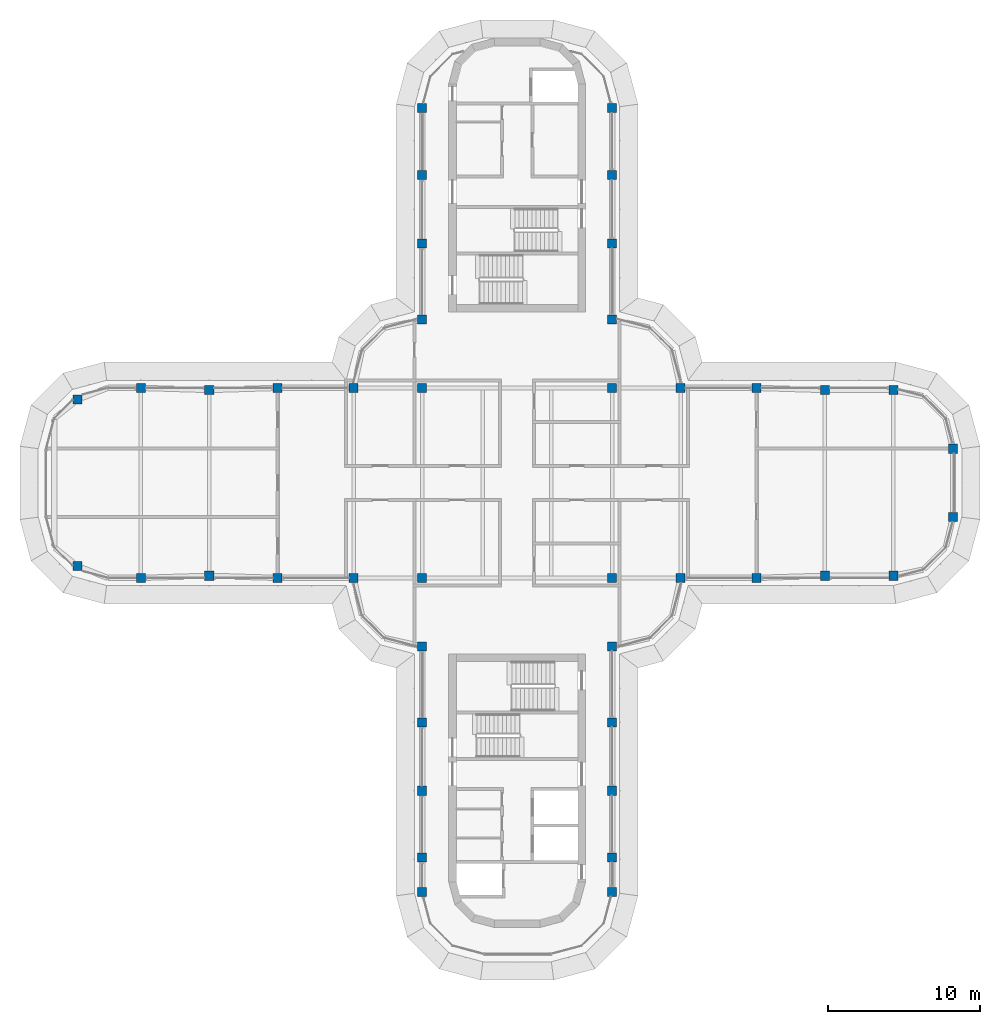
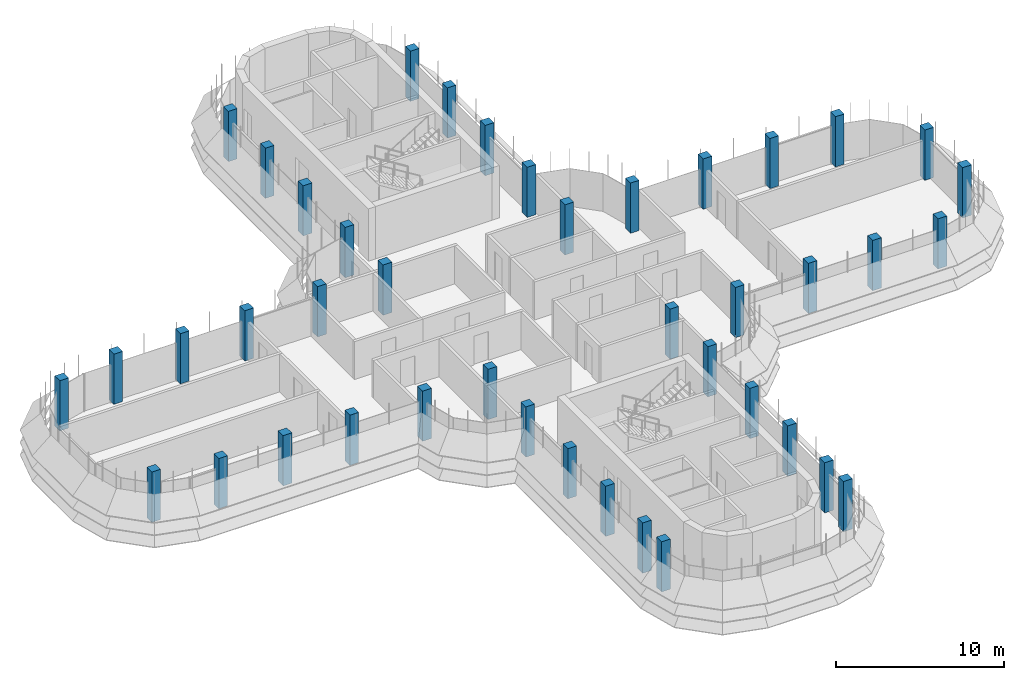
# One storey, part 1 of 19: 42 columns.
"""IFC4 building model written with IfcOpenShell, lengths in metres."""

from ifc_helpers import new_model, si_unit, direction, frame, origin, origin_2d, place, context, subcontext, project, spatial, rectangle, extrude, material, material_profile, profile_set, type_object, element, save


model = new_model("IFC4")

# Units and contexts
model_context = context("Model", 3, precision=1e-05, world=origin(), true_north=direction((0.0, 1.0)))
body_context = subcontext(model_context, "Body", "Model", "MODEL_VIEW")
ifc_project = project(units=[si_unit("LENGTHUNIT", "METRE"), si_unit("AREAUNIT", "SQUARE_METRE"), si_unit("VOLUMEUNIT", "CUBIC_METRE"), si_unit("PLANEANGLEUNIT", "RADIAN"), si_unit("MASSUNIT", "GRAM", prefix="KILO")], contexts=[model_context])

# Site, building, storey
site_placement = place(None, origin())
site = spatial("IfcSite", under=ifc_project, at=site_placement, CompositionType="ELEMENT")
building_placement = place(site_placement, origin())
building = spatial("IfcBuilding", under=site, at=building_placement, Name="Zarbagh Exchange Tower", CompositionType="ELEMENT")
storey_placement = place(building_placement, frame((0.0, 0.0, 268.800048828125)))
storey = spatial("IfcBuildingStorey", under=building, at=storey_placement, Name="L66", CompositionType="ELEMENT", Elevation=268.800048828125)

# Columns
ifc_material = material(Name="Concrete C40/50", Category="concrete")
ifc_material_profile = material_profile(ifc_material, rectangle(XDim=0.60009765625, YDim=0.60009765625, at=origin_2d()), Name="RC column 600 x 600 C40/50")
ifc_profile_set = profile_set([ifc_material_profile], Name="Concrete C40/50")
column_type = type_object("IfcColumnType", Name="RC column 600 x 600 C40/50", PredefinedType="COLUMN", material=ifc_profile_set)
for number, where, z_axis, x_axis, name in (
    (1, (-28.907958984375, -5.47509765625, 0.0), (0.0, 0.0, 1.0), (1.0, 0.0, 0.0), "C6 11/R"),
    (2, (-28.907958984375, 5.47509765625, 0.0), (0.0, 0.0, 1.0), (1.0, 0.0, 0.0), "C6 11/U"),
    (3, (-24.75, -6.25, 0.0), (0.0, 0.0, 1.0), (1.0, 0.0, 0.0), "C6 12/R"),
    (4, (-24.75, 6.25, 0.0), (0.0, 0.0, 1.0), (1.0, 0.0, 0.0), "C6 12/U"),
    (5, (-20.25, -6.110107421875, 0.0), (0.0, 0.0, 1.0), (1.0, 0.0, 0.0), "C6 13/R"),
    (6, (-20.25, 6.110107421875, 0.0), (0.0, 0.0, 1.0), (1.0, 0.0, 0.0), "C6 13/U"),
    (7, (-15.75, -6.25, 0.0), (0.0, 0.0, 1.0), (1.0, 0.0, 0.0), "C6 14/R"),
    (8, (-15.75, 6.25, 0.0), (0.0, 0.0, 1.0), (1.0, 0.0, 0.0), "C6 14/U"),
    (9, (-10.75, -6.25, 0.0), (0.0, 0.0, 1.0), (1.0, 0.0, 0.0), "C6 15/R"),
    (10, (-10.75, 6.25, 0.0), (0.0, 0.0, 1.0), (1.0, 0.0, 0.0), "C6 15/U"),
    (11, (-6.25, -26.89990234375, 0.0), (0.0, 0.0, 1.0), (1.0, 0.0, 0.0), "C6 16/L"),
    (12, (-6.25, -24.64990234375, 0.0), (0.0, 0.0, 1.0), (1.0, 0.0, 0.0), "C6 16/M"),
    (13, (-6.25, -20.25, 0.0), (0.0, 0.0, 1.0), (1.0, 0.0, 0.0), "C6 16/N"),
    (14, (-6.25, -15.75, 0.0), (0.0, 0.0, 1.0), (1.0, 0.0, 0.0), "C6 16/P"),
    (15, (-6.25, -10.75, 0.0), (0.0, 0.0, 1.0), (1.0, 0.0, 0.0), "C6 16/Q"),
    (16, (-6.25, -6.25, 0.0), (0.0, 0.0, 1.0), (1.0, 0.0, 0.0), "C6 16/R"),
    (17, (-6.25, 6.25, 0.0), (0.0, 0.0, 1.0), (1.0, 0.0, 0.0), "C6 16/U"),
    (18, (-6.25, 10.75, 0.0), (0.0, 0.0, 1.0), (1.0, 0.0, 0.0), "C6 16/V"),
    (19, (-6.25, 15.75, 0.0), (0.0, 0.0, 1.0), (1.0, 0.0, 0.0), "C6 16/W"),
    (20, (-6.25, 20.25, 0.0), (0.0, 0.0, 1.0), (1.0, 0.0, 0.0), "C6 16/X"),
    (21, (-6.25, 24.64990234375, 0.0), (0.0, 0.0, 1.0), (1.0, 0.0, 0.0), "C6 16/Y"),
    (22, (6.25, -26.89990234375, 0.0), (0.0, 0.0, 1.0), (1.0, 0.0, 0.0), "C6 19/L"),
    (23, (6.25, -24.64990234375, 0.0), (0.0, 0.0, 1.0), (1.0, 0.0, 0.0), "C6 19/M"),
    (24, (6.25, -20.25, 0.0), (0.0, 0.0, 1.0), (1.0, 0.0, 0.0), "C6 19/N"),
    (25, (6.25, -15.75, 0.0), (0.0, 0.0, 1.0), (1.0, 0.0, 0.0), "C6 19/P"),
    (26, (6.25, -10.75, 0.0), (0.0, 0.0, 1.0), (1.0, 0.0, 0.0), "C6 19/Q"),
    (27, (6.25, -6.25, 0.0), (0.0, 0.0, 1.0), (1.0, 0.0, 0.0), "C6 19/R"),
    (28, (6.25, 6.25, 0.0), (0.0, 0.0, 1.0), (1.0, 0.0, 0.0), "C6 19/U"),
    (29, (6.25, 10.75, 0.0), (0.0, 0.0, 1.0), (1.0, 0.0, 0.0), "C6 19/V"),
    (30, (6.25, 15.75, 0.0), (0.0, 0.0, 1.0), (1.0, 0.0, 0.0), "C6 19/W"),
    (31, (6.25, 20.25, 0.0), (0.0, 0.0, 1.0), (1.0, 0.0, 0.0), "C6 19/X"),
    (32, (6.25, 24.64990234375, 0.0), (0.0, 0.0, 1.0), (1.0, 0.0, 0.0), "C6 19/Y"),
    (33, (10.75, -6.25, 0.0), (0.0, 0.0, 1.0), (1.0, 0.0, 0.0), "C6 20/R"),
    (34, (10.75, 6.25, 0.0), (0.0, 0.0, 1.0), (1.0, 0.0, 0.0), "C6 20/U"),
    (35, (15.75, -6.25, 0.0), (0.0, 0.0, 1.0), (1.0, 0.0, 0.0), "C6 21/R"),
    (36, (15.75, 6.25, 0.0), (0.0, 0.0, 1.0), (1.0, 0.0, 0.0), "C6 21/U"),
    (37, (20.25, -6.110107421875, 0.0), (0.0, 0.0, 1.0), (1.0, 0.0, 0.0), "C6 22/R"),
    (38, (20.25, 6.110107421875, 0.0), (0.0, 0.0, 1.0), (1.0, 0.0, 0.0), "C6 22/U"),
    (39, (24.75, -6.110107421875, 0.0), (0.0, 0.0, 1.0), (1.0, 0.0, 0.0), "C6 23/R"),
    (40, (24.75, 6.110107421875, 0.0), (0.0, 0.0, 1.0), (1.0, 0.0, 0.0), "C6 23/U"),
    (41, (28.669921875, -2.25, 0.0), (0.0, 0.0, 1.0), (1.0, 0.0, 0.0), "C6 24/S"),
    (42, (28.669921875, 2.25, 0.0), (0.0, 0.0, 1.0), (1.0, 0.0, 0.0), "C6 24/T"),
):
    element("IfcColumn", number, at=place(storey_placement, frame(where, z_axis=z_axis, x_axis=x_axis)), inside=storey, type_object=column_type, Name=name, PredefinedType="COLUMN", context=body_context, shape_type="SweptSolid", body=[
        extrude(rectangle(XDim=0.60009765625, YDim=0.60009765625, at=origin_2d()), origin(), (0.0, 0.0, 1.0), 3.64990234375),
    ])

save(model, "model.ifc")
